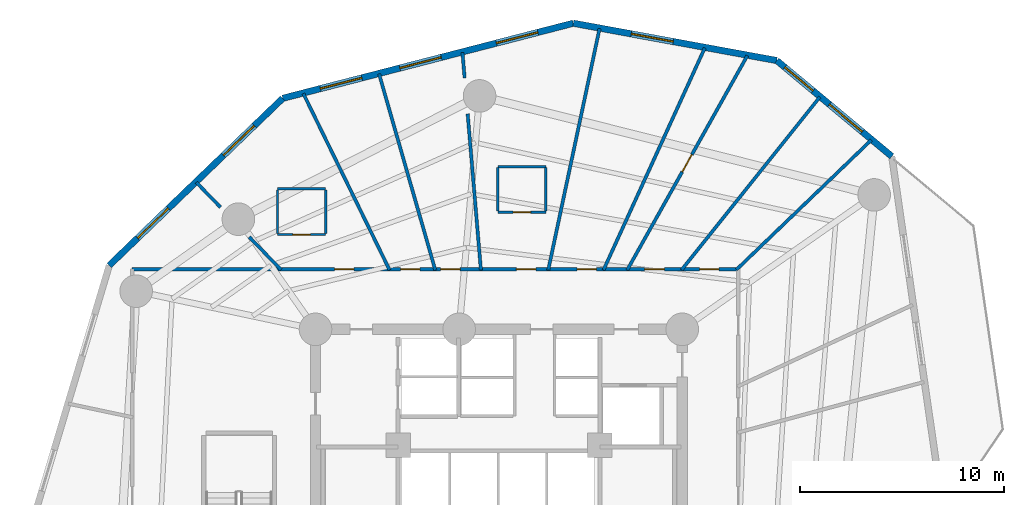
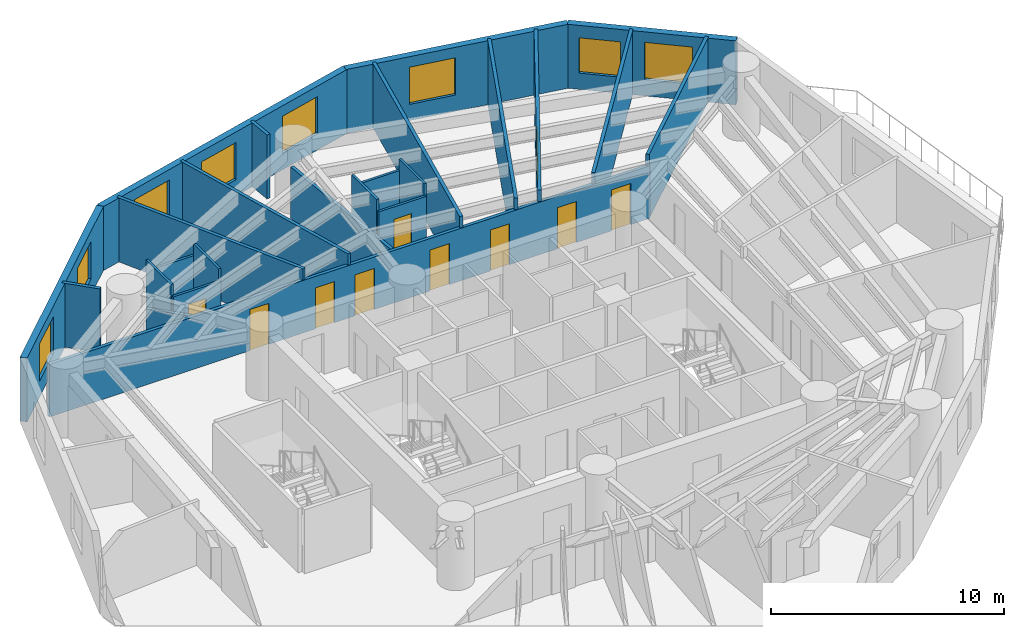
# One storey, part 6 of 9: 24 walls, 10 doors, 8 windows, 18 openings.
"""IFC4 building model written with IfcOpenShell, lengths in metres."""

from ifc_helpers import new_model, si_unit, direction, frame, frame_2d, origin, origin_with_axes, place, context, subcontext, project, spatial, rectangle, extrude, source, transform, mapped, material, layer, layer_set, type_object, element, fill, save


model = new_model("IFC4")

# Units and contexts
model_context = context("Model", 3, precision=1e-05, world=origin(), true_north=direction((0.0, 1.0)))
body_context = subcontext(model_context, "Body", "Model", "MODEL_VIEW")
ifc_project = project(units=[si_unit("LENGTHUNIT", "METRE"), si_unit("AREAUNIT", "SQUARE_METRE"), si_unit("VOLUMEUNIT", "CUBIC_METRE"), si_unit("PLANEANGLEUNIT", "RADIAN"), si_unit("MASSUNIT", "GRAM", prefix="KILO")], contexts=[model_context])

# Site, building, storey
site_placement = place(None, origin())
site = spatial("IfcSite", under=ifc_project, at=site_placement, CompositionType="ELEMENT")
building_placement = place(site_placement, origin())
building = spatial("IfcBuilding", under=site, at=building_placement, Name="Karkom Vertical University and Central Library", CompositionType="ELEMENT")
storey_placement = place(building_placement, frame((0.0, 0.0, 69.699951171875)))
storey = spatial("IfcBuildingStorey", under=building, at=storey_placement, Name="L18", CompositionType="ELEMENT", Elevation=69.699951171875)

# Wall, openings, windows
ifc_material_1 = material(Name="Brick-faced precast concrete C45/55", Category="masonry")
ifc_layer_1 = layer(ifc_material_1, 0.320068359375)
ifc_layer_set_1 = layer_set([ifc_layer_1], Name="Brick-faced precast concrete C45/55")
wall_type_1 = type_object("IfcWallType", Name="ENV-WL-BRK-320", PredefinedType="SOLIDWALL", material=ifc_layer_set_1)
wall_1_placement = place(storey_placement, frame((47.786865234375, 43.188232421875, 0.0), z_axis=(0.0, 0.0, 1.0), x_axis=(-0.768362839107, 0.640014490054, 0.0)))
wall_1 = element("IfcWall", 1, at=wall_1_placement, inside=storey, type_object=wall_type_1, Name="Level 18 Brick-Faced Precast Facade Wall 09", PredefinedType="SOLIDWALL", context=body_context, shape_type="SweptSolid", body=[
    extrude(rectangle(XDim=7.35009765625, YDim=0.320068359375, at=frame_2d((3.675048828125, 0.0))), origin(), (0.0, 0.0, 1.0), 3.35009765625),
])
opening_1_placement = place(wall_1_placement, frame((1.886474609375, 0.0, 0.85009765625)))
opening_1 = element("IfcOpeningElement", 2, at=opening_1_placement, cuts=wall_1, Name="Opening WN-03", PredefinedType="OPENING", context=body_context, shape_type="SweptSolid", body=[
    extrude(rectangle(XDim=2.10009765625, YDim=1.949951171875, at=frame_2d((1.050048828125, 0.97509765625))), frame((0.0, 0.169921875, 0.0), z_axis=(0.0, -1.0, 0.0), x_axis=(1.0, 0.0, 0.0)), (0.0, 0.0, 1.0), 0.340087890625),
])
opening_2_placement = place(wall_1_placement, frame((5.034912109375, 0.0, 0.85009765625)))
opening_2 = element("IfcOpeningElement", 3, at=opening_2_placement, cuts=wall_1, Name="Opening WN-04", PredefinedType="OPENING", context=body_context, shape_type="SweptSolid", body=[
    extrude(rectangle(XDim=1.800048828125, YDim=1.85009765625, at=frame_2d((0.89990234375, 0.925048828125))), frame((0.0, 0.169921875, 0.0), z_axis=(0.0, -1.0, 0.0), x_axis=(1.0, 0.0, 0.0)), (0.0, 0.0, 1.0), 0.340087890625),
])
ifc_material_2 = material(Name="Aluminium thermal-break frame with solar-control IGU", Category="aluminium")
window_type_1 = type_object("IfcWindowType", Name="ENV-WIN-WN-03", PartitioningType="SINGLE_PANEL", PredefinedType="WINDOW", material=ifc_material_2)
shared_shape_1 = source(origin_with_axes(), body_context, "Body", "SweptSolid", [
    extrude(rectangle(XDim=2.10009765625, YDim=1.949951171875, at=frame_2d((1.050048828125, 0.97509765625))), frame((0.0, 0.030029296875, 0.0), z_axis=(0.0, -1.0, 0.0), x_axis=(1.0, 0.0, 0.0)), (0.0, 0.0, 1.0), 0.06005859375),
])
window_1_placement = place(opening_1_placement, origin())
window_1 = element("IfcWindow", 4, at=window_1_placement, inside=storey, type_object=window_type_1, Name="Level 18 Punched Window 9.1", OverallHeight=1.949951171875, OverallWidth=2.10009765625, PartitioningType="SINGLE_PANEL", PredefinedType="WINDOW", context=body_context, shape_type="MappedRepresentation", body=[
    mapped(shared_shape_1, transform((0.0, 0.0, 0.0), scale=1.0)),
])
fill(opening_1, window_1)
window_type_2 = type_object("IfcWindowType", Name="ENV-WIN-WN-04", PartitioningType="SINGLE_PANEL", PredefinedType="WINDOW", material=ifc_material_2)
shared_shape_2 = source(origin_with_axes(), body_context, "Body", "SweptSolid", [
    extrude(rectangle(XDim=1.800048828125, YDim=1.85009765625, at=frame_2d((0.89990234375, 0.925048828125))), frame((0.0, 0.030029296875, 0.0), z_axis=(0.0, -1.0, 0.0), x_axis=(1.0, 0.0, 0.0)), (0.0, 0.0, 1.0), 0.06005859375),
])
window_2_placement = place(opening_2_placement, origin())
window_2 = element("IfcWindow", 5, at=window_2_placement, inside=storey, type_object=window_type_2, Name="Level 18 Punched Window 9.2", OverallHeight=1.85009765625, OverallWidth=1.800048828125, PartitioningType="SINGLE_PANEL", PredefinedType="WINDOW", context=body_context, shape_type="MappedRepresentation", body=[
    mapped(shared_shape_2, transform((0.0, 0.0, 0.0), scale=1.0)),
])
fill(opening_2, window_2)

# Wall, opening, window
wall_2_placement = place(storey_placement, frame((42.139404296875, 47.892333984375, 0.0), z_axis=(0.0, 0.0, 1.0), x_axis=(-0.983594472343, 0.180393774774, 0.0)))
wall_2 = element("IfcWall", 6, at=wall_2_placement, inside=storey, type_object=wall_type_1, Name="Level 18 Brick-Faced Precast Facade Wall 10", PredefinedType="SOLIDWALL", context=body_context, shape_type="SweptSolid", body=[
    extrude(rectangle(XDim=10.154296875, YDim=0.320068359375, at=frame_2d((5.0771484375, 0.0))), origin(), (0.0, 0.0, 1.0), 3.35009765625),
])
opening_3_placement = place(wall_2_placement, frame((5.1669921875, 0.0, 0.85009765625)))
opening_3 = element("IfcOpeningElement", 7, at=opening_3_placement, cuts=wall_2, Name="Opening WN-03", PredefinedType="OPENING", context=body_context, shape_type="SweptSolid", body=[
    extrude(rectangle(XDim=2.10009765625, YDim=1.949951171875, at=frame_2d((1.050048828125, 0.97509765625))), frame((0.0, 0.169921875, 0.0), z_axis=(0.0, -1.0, 0.0), x_axis=(1.0, 0.0, 0.0)), (0.0, 0.0, 1.0), 0.340087890625),
])
window_3_placement = place(opening_3_placement, origin())
window_3 = element("IfcWindow", 8, at=window_3_placement, inside=storey, type_object=window_type_1, Name="Level 18 Punched Window 10.1", OverallHeight=1.949951171875, OverallWidth=2.10009765625, PartitioningType="SINGLE_PANEL", PredefinedType="WINDOW", context=body_context, shape_type="MappedRepresentation", body=[
    mapped(shared_shape_1, transform((0.0, 0.0, 0.0), scale=1.0)),
])
fill(opening_3, window_3)

# Wall, openings, windows
wall_3_placement = place(storey_placement, frame((32.151611328125, 49.72412109375, 0.0), z_axis=(0.0, 0.0, 1.0), x_axis=(-0.968190331719, -0.250214870793, 0.0)))
wall_3 = element("IfcWall", 9, at=wall_3_placement, inside=storey, type_object=wall_type_1, Name="Level 18 Brick-Faced Precast Facade Wall 11", PredefinedType="SOLIDWALL", context=body_context, shape_type="SweptSolid", body=[
    extrude(rectangle(XDim=14.7294921875, YDim=0.320068359375, at=frame_2d((7.36474609375, 0.0))), origin(), (0.0, 0.0, 1.0), 3.35009765625),
])
opening_4_placement = place(wall_3_placement, frame((1.79541015625, 0.0, 0.85009765625)))
opening_4 = element("IfcOpeningElement", 10, at=opening_4_placement, cuts=wall_3, Name="Opening WN-03", PredefinedType="OPENING", context=body_context, shape_type="SweptSolid", body=[
    extrude(rectangle(XDim=2.10009765625, YDim=1.949951171875, at=frame_2d((1.050048828125, 0.97509765625))), frame((0.0, 0.169921875, 0.0), z_axis=(0.0, -1.0, 0.0), x_axis=(1.0, 0.0, 0.0)), (0.0, 0.0, 1.0), 0.340087890625),
])
opening_5_placement = place(wall_3_placement, frame((6.690673828125, 0.0, 0.85009765625)))
opening_5 = element("IfcOpeningElement", 11, at=opening_5_placement, cuts=wall_3, Name="Opening WN-03", PredefinedType="OPENING", context=body_context, shape_type="SweptSolid", body=[
    extrude(rectangle(XDim=2.10009765625, YDim=1.949951171875, at=frame_2d((1.050048828125, 0.97509765625))), frame((0.0, 0.169921875, 0.0), z_axis=(0.0, -1.0, 0.0), x_axis=(1.0, 0.0, 0.0)), (0.0, 0.0, 1.0), 0.340087890625),
])
opening_6_placement = place(wall_3_placement, frame((10.71728515625, 0.0, 0.85009765625)))
opening_6 = element("IfcOpeningElement", 12, at=opening_6_placement, cuts=wall_3, Name="Opening WN-03", PredefinedType="OPENING", context=body_context, shape_type="SweptSolid", body=[
    extrude(rectangle(XDim=2.10009765625, YDim=1.949951171875, at=frame_2d((1.050048828125, 0.97509765625))), frame((0.0, 0.169921875, 0.0), z_axis=(0.0, -1.0, 0.0), x_axis=(1.0, 0.0, 0.0)), (0.0, 0.0, 1.0), 0.340087890625),
])
window_4_placement = place(opening_4_placement, origin())
window_4 = element("IfcWindow", 13, at=window_4_placement, inside=storey, type_object=window_type_1, Name="Level 18 Punched Window 11.1", OverallHeight=1.949951171875, OverallWidth=2.10009765625, PartitioningType="SINGLE_PANEL", PredefinedType="WINDOW", context=body_context, shape_type="MappedRepresentation", body=[
    mapped(shared_shape_1, transform((0.0, 0.0, 0.0), scale=1.0)),
])
fill(opening_4, window_4)
window_5_placement = place(opening_5_placement, origin())
window_5 = element("IfcWindow", 14, at=window_5_placement, inside=storey, type_object=window_type_1, Name="Level 18 Punched Window 11.2", OverallHeight=1.949951171875, OverallWidth=2.10009765625, PartitioningType="SINGLE_PANEL", PredefinedType="WINDOW", context=body_context, shape_type="MappedRepresentation", body=[
    mapped(shared_shape_1, transform((0.0, 0.0, 0.0), scale=1.0)),
])
fill(opening_5, window_5)
window_6_placement = place(opening_6_placement, origin())
window_6 = element("IfcWindow", 15, at=window_6_placement, inside=storey, type_object=window_type_1, Name="Level 18 Punched Window 11.3", OverallHeight=1.949951171875, OverallWidth=2.10009765625, PartitioningType="SINGLE_PANEL", PredefinedType="WINDOW", context=body_context, shape_type="MappedRepresentation", body=[
    mapped(shared_shape_1, transform((0.0, 0.0, 0.0), scale=1.0)),
])
fill(opening_6, window_6)

wall_4_placement = place(storey_placement, frame((17.890625, 46.03857421875, 0.0), z_axis=(0.0, 0.0, 1.0), x_axis=(-0.720301487299, -0.693661132971, 0.0)))
wall_4 = element("IfcWall", 16, at=wall_4_placement, inside=storey, type_object=wall_type_1, Name="Level 18 Brick-Faced Precast Facade Wall 12", PredefinedType="SOLIDWALL", context=body_context, shape_type="SweptSolid", body=[
    extrude(rectangle(XDim=11.822021484375, YDim=0.320068359375, at=frame_2d((5.9111328125, 0.0))), origin(), (0.0, 0.0, 1.0), 3.35009765625),
])
opening_7_placement = place(wall_4_placement, frame((1.93798828125, 0.0, 0.85009765625)))
opening_7 = element("IfcOpeningElement", 17, at=opening_7_placement, cuts=wall_4, Name="Opening WN-03", PredefinedType="OPENING", context=body_context, shape_type="SweptSolid", body=[
    extrude(rectangle(XDim=2.10009765625, YDim=1.949951171875, at=frame_2d((1.050048828125, 0.97509765625))), frame((0.0, 0.169921875, 0.0), z_axis=(0.0, -1.0, 0.0), x_axis=(1.0, 0.0, 0.0)), (0.0, 0.0, 1.0), 0.340087890625),
])
opening_8_placement = place(wall_4_placement, frame((7.788818359375, 0.0, 0.85009765625)))
opening_8 = element("IfcOpeningElement", 18, at=opening_8_placement, cuts=wall_4, Name="Opening WN-03", PredefinedType="OPENING", context=body_context, shape_type="SweptSolid", body=[
    extrude(rectangle(XDim=2.10009765625, YDim=1.949951171875, at=frame_2d((1.050048828125, 0.97509765625))), frame((0.0, 0.169921875, 0.0), z_axis=(0.0, -1.0, 0.0), x_axis=(1.0, 0.0, 0.0)), (0.0, 0.0, 1.0), 0.340087890625),
])
window_7_placement = place(opening_7_placement, origin())
window_7 = element("IfcWindow", 19, at=window_7_placement, inside=storey, type_object=window_type_1, Name="Level 18 Punched Window 12.1", OverallHeight=1.949951171875, OverallWidth=2.10009765625, PartitioningType="SINGLE_PANEL", PredefinedType="WINDOW", context=body_context, shape_type="MappedRepresentation", body=[
    mapped(shared_shape_1, transform((0.0, 0.0, 0.0), scale=1.0)),
])
fill(opening_7, window_7)
window_8_placement = place(opening_8_placement, origin())
window_8 = element("IfcWindow", 20, at=window_8_placement, inside=storey, type_object=window_type_1, Name="Level 18 Punched Window 12.2", OverallHeight=1.949951171875, OverallWidth=2.10009765625, PartitioningType="SINGLE_PANEL", PredefinedType="WINDOW", context=body_context, shape_type="MappedRepresentation", body=[
    mapped(shared_shape_1, transform((0.0, 0.0, 0.0), scale=1.0)),
])
fill(opening_8, window_8)

# Wall, openings, doors
ifc_material_3 = material(Name="Insulated metal-stud drywall 160mm", Category="gypsum")
ifc_layer_2 = layer(ifc_material_3, 0.159912109375)
ifc_layer_set_2 = layer_set([ifc_layer_2], Name="Insulated metal-stud drywall 160mm")
wall_type_2 = type_object("IfcWallType", Name="INT-WL-COR-160", PredefinedType="PARTITIONING", material=ifc_layer_set_2)
wall_5_placement = place(storey_placement, frame((10.5, 37.64990234375, 0.0), z_axis=(0.0, 0.0, 1.0), x_axis=(1.0, 0.0, 0.0)))
wall_5 = element("IfcWall", 21, at=wall_5_placement, inside=storey, type_object=wall_type_2, Name="Level 18 Interior Partition Wall L18-CORW-CW-003", PredefinedType="PARTITIONING", context=body_context, shape_type="SweptSolid", body=[
    extrude(rectangle(XDim=29.75, YDim=0.159912109375, at=frame_2d((14.875, 0.0))), origin(), (0.0, 0.0, 1.0), 2.75),
])
opening_9_placement = place(wall_5_placement, frame((27.85009765625, 0.0, 0.0)))
opening_9 = element("IfcOpeningElement", 22, at=opening_9_placement, cuts=wall_5, Name="Opening D-RM1", PredefinedType="OPENING", context=body_context, shape_type="SweptSolid", body=[
    extrude(rectangle(XDim=0.949951171875, YDim=2.14990234375, at=frame_2d((0.47509765625, 1.074951171875))), frame((0.0, 0.08984375, 0.0), z_axis=(0.0, -1.0, 0.0), x_axis=(1.0, 0.0, 0.0)), (0.0, 0.0, 1.0), 0.179931640625),
])
opening_10_placement = place(wall_5_placement, frame((25.15869140625, 0.0, 0.0)))
opening_10 = element("IfcOpeningElement", 23, at=opening_10_placement, cuts=wall_5, Name="Opening FD-RM2", PredefinedType="OPENING", context=body_context, shape_type="SweptSolid", body=[
    extrude(rectangle(XDim=0.9599609375, YDim=2.14990234375, at=frame_2d((0.47998046875, 1.074951171875))), frame((0.0, 0.08984375, 0.0), z_axis=(0.0, -1.0, 0.0), x_axis=(1.0, 0.0, 0.0)), (0.0, 0.0, 1.0), 0.179931640625),
])
opening_11_placement = place(wall_5_placement, frame((21.83740234375, 0.0, 0.0)))
opening_11 = element("IfcOpeningElement", 24, at=opening_11_placement, cuts=wall_5, Name="Opening D-RM1", PredefinedType="OPENING", context=body_context, shape_type="SweptSolid", body=[
    extrude(rectangle(XDim=0.949951171875, YDim=2.14990234375, at=frame_2d((0.47509765625, 1.074951171875))), frame((0.0, 0.08984375, 0.0), z_axis=(0.0, -1.0, 0.0), x_axis=(1.0, 0.0, 0.0)), (0.0, 0.0, 1.0), 0.179931640625),
])
opening_12_placement = place(wall_5_placement, frame((18.862548828125, 0.0, 0.0)))
opening_12 = element("IfcOpeningElement", 25, at=opening_12_placement, cuts=wall_5, Name="Opening D-RM1", PredefinedType="OPENING", context=body_context, shape_type="SweptSolid", body=[
    extrude(rectangle(XDim=0.949951171875, YDim=2.14990234375, at=frame_2d((0.47509765625, 1.074951171875))), frame((0.0, 0.08984375, 0.0), z_axis=(0.0, -1.0, 0.0), x_axis=(1.0, 0.0, 0.0)), (0.0, 0.0, 1.0), 0.179931640625),
])
opening_13_placement = place(wall_5_placement, frame((15.139892578125, 0.0, 0.0)))
opening_13 = element("IfcOpeningElement", 26, at=opening_13_placement, cuts=wall_5, Name="Opening FD-RM2", PredefinedType="OPENING", context=body_context, shape_type="SweptSolid", body=[
    extrude(rectangle(XDim=0.9599609375, YDim=2.14990234375, at=frame_2d((0.47998046875, 1.074951171875))), frame((0.0, 0.08984375, 0.0), z_axis=(0.0, -1.0, 0.0), x_axis=(1.0, 0.0, 0.0)), (0.0, 0.0, 1.0), 0.179931640625),
])
opening_14_placement = place(wall_5_placement, frame((13.173583984375, 0.0, 0.0)))
opening_14 = element("IfcOpeningElement", 27, at=opening_14_placement, cuts=wall_5, Name="Opening D-RM1", PredefinedType="OPENING", context=body_context, shape_type="SweptSolid", body=[
    extrude(rectangle(XDim=0.949951171875, YDim=2.14990234375, at=frame_2d((0.47509765625, 1.074951171875))), frame((0.0, 0.08984375, 0.0), z_axis=(0.0, -1.0, 0.0), x_axis=(1.0, 0.0, 0.0)), (0.0, 0.0, 1.0), 0.179931640625),
])
opening_15_placement = place(wall_5_placement, frame((9.9375, 0.0, 0.0)))
opening_15 = element("IfcOpeningElement", 28, at=opening_15_placement, cuts=wall_5, Name="Opening D-RM1", PredefinedType="OPENING", context=body_context, shape_type="SweptSolid", body=[
    extrude(rectangle(XDim=0.949951171875, YDim=2.14990234375, at=frame_2d((0.47509765625, 1.074951171875))), frame((0.0, 0.08984375, 0.0), z_axis=(0.0, -1.0, 0.0), x_axis=(1.0, 0.0, 0.0)), (0.0, 0.0, 1.0), 0.179931640625),
])
ifc_material_4 = material(Name="Fire-rated oak veneer door", Category="wood")
door_type_1 = type_object("IfcDoorType", Name="INT-DR-FRM2", OperationType="NOTDEFINED", PredefinedType="DOOR", material=ifc_material_4)
shared_shape_3 = source(origin_with_axes(), body_context, "Body", "SweptSolid", [
    extrude(rectangle(XDim=0.9599609375, YDim=2.14990234375, at=frame_2d((0.47998046875, 1.074951171875))), frame((0.0, 0.02490234375, 0.0), z_axis=(0.0, -1.0, 0.0), x_axis=(1.0, 0.0, 0.0)), (0.0, 0.0, 1.0), 0.050048828125),
])
door_1_placement = place(opening_10_placement, origin())
door_1 = element("IfcDoor", 29, at=door_1_placement, inside=storey, type_object=door_type_1, Name="Level 18 Room Entry Door 160", OperationType="SINGLE_SWING_LEFT", OverallHeight=2.14990234375, OverallWidth=0.9599609375, PredefinedType="DOOR", context=body_context, shape_type="MappedRepresentation", body=[
    mapped(shared_shape_3, transform((0.0, 0.0, 0.0), scale=1.0)),
])
fill(opening_10, door_1)
door_2_placement = place(opening_13_placement, origin())
door_2 = element("IfcDoor", 30, at=door_2_placement, inside=storey, type_object=door_type_1, Name="Level 18 Room Entry Door 200", OperationType="SINGLE_SWING_RIGHT", OverallHeight=2.14990234375, OverallWidth=0.9599609375, PredefinedType="DOOR", context=body_context, shape_type="MappedRepresentation", body=[
    mapped(shared_shape_3, transform((0.0, 0.0, 0.0), scale=1.0)),
])
fill(opening_13, door_2)
ifc_material_5 = material(Name="Solid-core oak veneer door", Category="wood")
door_type_2 = type_object("IfcDoorType", Name="INT-DR-RM1", OperationType="NOTDEFINED", PredefinedType="DOOR", material=ifc_material_5)
shared_shape_4 = source(origin_with_axes(), body_context, "Body", "SweptSolid", [
    extrude(rectangle(XDim=0.949951171875, YDim=2.14990234375, at=frame_2d((0.47509765625, 1.074951171875))), frame((0.0, 0.02490234375, 0.0), z_axis=(0.0, -1.0, 0.0), x_axis=(1.0, 0.0, 0.0)), (0.0, 0.0, 1.0), 0.050048828125),
])
door_3_placement = place(opening_9_placement, origin())
door_3 = element("IfcDoor", 31, at=door_3_placement, inside=storey, type_object=door_type_2, Name="Level 18 Room Entry Door 150", OperationType="SINGLE_SWING_RIGHT", OverallHeight=2.14990234375, OverallWidth=0.949951171875, PredefinedType="DOOR", context=body_context, shape_type="MappedRepresentation", body=[
    mapped(shared_shape_4, transform((0.0, 0.0, 0.0), scale=1.0)),
])
fill(opening_9, door_3)
door_4_placement = place(opening_11_placement, origin())
door_4 = element("IfcDoor", 32, at=door_4_placement, inside=storey, type_object=door_type_2, Name="Level 18 Room Entry Door 180", OperationType="SINGLE_SWING_RIGHT", OverallHeight=2.14990234375, OverallWidth=0.949951171875, PredefinedType="DOOR", context=body_context, shape_type="MappedRepresentation", body=[
    mapped(shared_shape_4, transform((0.0, 0.0, 0.0), scale=1.0)),
])
fill(opening_11, door_4)
door_5_placement = place(opening_12_placement, origin())
door_5 = element("IfcDoor", 33, at=door_5_placement, inside=storey, type_object=door_type_2, Name="Level 18 Room Entry Door 190", OperationType="SINGLE_SWING_LEFT", OverallHeight=2.14990234375, OverallWidth=0.949951171875, PredefinedType="DOOR", context=body_context, shape_type="MappedRepresentation", body=[
    mapped(shared_shape_4, transform((0.0, 0.0, 0.0), scale=1.0)),
])
fill(opening_12, door_5)
door_6_placement = place(opening_14_placement, origin())
door_6 = element("IfcDoor", 34, at=door_6_placement, inside=storey, type_object=door_type_2, Name="Level 18 Room Entry Door 210", OperationType="SINGLE_SWING_LEFT", OverallHeight=2.14990234375, OverallWidth=0.949951171875, PredefinedType="DOOR", context=body_context, shape_type="MappedRepresentation", body=[
    mapped(shared_shape_4, transform((0.0, 0.0, 0.0), scale=1.0)),
])
fill(opening_14, door_6)
door_7_placement = place(opening_15_placement, origin())
door_7 = element("IfcDoor", 35, at=door_7_placement, inside=storey, type_object=door_type_2, Name="Level 18 Room Entry Door 220", OperationType="SINGLE_SWING_RIGHT", OverallHeight=2.14990234375, OverallWidth=0.949951171875, PredefinedType="DOOR", context=body_context, shape_type="MappedRepresentation", body=[
    mapped(shared_shape_4, transform((0.0, 0.0, 0.0), scale=1.0)),
])
fill(opening_15, door_7)

# Wall
wall_6_placement = place(storey_placement, frame((30.92138671875, 37.60595703125, 0.0), z_axis=(0.0, 0.0, 1.0), x_axis=(0.207885013446, 0.978153270804, 0.0)))
element("IfcWall", 36, at=wall_6_placement, inside=storey, type_object=wall_type_2, Name="Level 18 Interior Partition Wall L18-PW-022", PredefinedType="PARTITIONING", context=body_context, shape_type="SweptSolid", body=[
    extrude(rectangle(XDim=12.12109375, YDim=0.159912109375, at=frame_2d((6.060546875, 0.0))), origin(), (0.0, 0.0, 1.0), 3.35009765625),
])

# Wall, opening, door
wall_7_placement = place(storey_placement, frame((34.797119140625, 37.610595703125, 0.0), z_axis=(0.0, 0.0, 1.0), x_axis=(0.488974485782, 0.872298086811, 0.0)))
wall_7 = element("IfcWall", 37, at=wall_7_placement, inside=storey, type_object=wall_type_2, Name="Level 18 Interior Partition Wall L18-PW-020", PredefinedType="PARTITIONING", context=body_context, shape_type="SweptSolid", body=[
    extrude(rectangle(XDim=12.057861328125, YDim=0.159912109375, at=frame_2d((6.02880859375, 0.0))), origin(), (0.0, 0.0, 1.0), 3.35009765625),
])
opening_16_placement = place(wall_7_placement, frame((5.52880859375, 0.0, 0.0)))
opening_16 = element("IfcOpeningElement", 38, at=opening_16_placement, cuts=wall_7, Name="Opening FD-RM2", PredefinedType="OPENING", context=body_context, shape_type="SweptSolid", body=[
    extrude(rectangle(XDim=0.9599609375, YDim=2.14990234375, at=frame_2d((0.47998046875, 1.074951171875))), frame((0.0, 0.08984375, 0.0), z_axis=(0.0, -1.0, 0.0), x_axis=(1.0, 0.0, 0.0)), (0.0, 0.0, 1.0), 0.179931640625),
])
door_8_placement = place(opening_16_placement, origin())
door_8 = element("IfcDoor", 39, at=door_8_placement, inside=storey, type_object=door_type_1, Name="Level 18 Room Entry Door 170", OperationType="SINGLE_SWING_LEFT", OverallHeight=2.14990234375, OverallWidth=0.9599609375, PredefinedType="DOOR", context=body_context, shape_type="MappedRepresentation", body=[
    mapped(shared_shape_3, transform((0.0, 0.0, 0.0), scale=1.0)),
])
fill(opening_16, door_8)

# Walls
wall_8_placement = place(storey_placement, frame((33.633544921875, 37.609130859375, 0.0), z_axis=(0.0, 0.0, 1.0), x_axis=(0.415044230095, 0.909801234921, 0.0)))
element("IfcWall", 40, at=wall_8_placement, inside=storey, type_object=wall_type_2, Name="Level 18 Interior Partition Wall L18-PW-021", PredefinedType="PARTITIONING", context=body_context, shape_type="SweptSolid", body=[
    extrude(rectangle(XDim=11.984619140625, YDim=0.159912109375, at=frame_2d((5.9921875, 0.0))), origin(), (0.0, 0.0, 1.0), 3.35009765625),
])
wall_9_placement = place(storey_placement, frame((37.465087890625, 37.614990234375, 0.0), z_axis=(0.0, 0.0, 1.0), x_axis=(0.624552549849, 0.780982786287, 0.0)))
element("IfcWall", 41, at=wall_9_placement, inside=storey, type_object=wall_type_2, Name="Level 18 Interior Partition Wall L18-PW-019", PredefinedType="PARTITIONING", context=body_context, shape_type="SweptSolid", body=[
    extrude(rectangle(XDim=10.865478515625, YDim=0.159912109375, at=frame_2d((5.4326171875, 0.0))), origin(), (0.0, 0.0, 1.0), 3.35009765625),
])
wall_10_placement = place(storey_placement, frame((25.37939453125, 37.606689453125, 0.0), z_axis=(0.0, 0.0, 1.0), x_axis=(-0.275487246275, 0.961304726473, 0.0)))
element("IfcWall", 42, at=wall_10_placement, inside=storey, type_object=wall_type_2, Name="Level 18 Interior Partition Wall L18-PW-025", PredefinedType="PARTITIONING", context=body_context, shape_type="SweptSolid", body=[
    extrude(rectangle(XDim=10.015869140625, YDim=0.159912109375, at=frame_2d((5.0078125, 0.0))), origin(), (0.0, 0.0, 1.0), 3.35009765625),
])
wall_11_placement = place(storey_placement, frame((23.13671875, 37.609619140625, 0.0), z_axis=(0.0, 0.0, 1.0), x_axis=(-0.439133840218, 0.898421655113, 0.0)))
element("IfcWall", 43, at=wall_11_placement, inside=storey, type_object=wall_type_2, Name="Level 18 Interior Partition Wall L18-PW-026", PredefinedType="PARTITIONING", context=body_context, shape_type="SweptSolid", body=[
    extrude(rectangle(XDim=9.642578125, YDim=0.159912109375, at=frame_2d((4.8212890625, 0.0))), origin(), (0.0, 0.0, 1.0), 3.35009765625),
])
wall_12_placement = place(storey_placement, frame((40.1611328125, 37.629150390625, 0.0), z_axis=(0.0, 0.0, 1.0), x_axis=(0.720836130308, 0.693105528216, 0.0)))
element("IfcWall", 44, at=wall_12_placement, inside=storey, type_object=wall_type_2, Name="Level 18 Interior Partition Wall L18-PW-018", PredefinedType="PARTITIONING", context=body_context, shape_type="SweptSolid", body=[
    extrude(rectangle(XDim=9.1826171875, YDim=0.159912109375, at=frame_2d((4.59130859375, 0.0))), origin(), (0.0, 0.0, 1.0), 3.35009765625),
])
wall_13_placement = place(storey_placement, frame((27.618408203125, 37.605224609375, 0.0), z_axis=(0.0, 0.0, 1.0), x_axis=(-0.084549280714, 0.996419298855, 0.0)))
element("IfcWall", 45, at=wall_13_placement, inside=storey, type_object=wall_type_2, Name="Level 18 Interior Partition Wall L18-PW-023", PredefinedType="PARTITIONING", context=body_context, shape_type="SweptSolid", body=[
    extrude(rectangle(XDim=7.6982421875, YDim=0.159912109375, at=frame_2d((3.84912109375, 0.0))), origin(), (0.0, 0.0, 1.0), 2.699951171875),
])
wall_14_placement = place(storey_placement, frame((17.801513671875, 37.62841796875, 0.0), z_axis=(0.0, 0.0, 1.0), x_axis=(-0.695823523946, 0.718212798218, 0.0)))
element("IfcWall", 46, at=wall_14_placement, inside=storey, type_object=wall_type_2, Name="Level 18 Interior Partition Wall L18-PW-027", PredefinedType="PARTITIONING", context=body_context, shape_type="SweptSolid", body=[
    extrude(rectangle(XDim=2.224609375, YDim=0.159912109375, at=frame_2d((1.1123046875, 0.0))), origin(), (0.0, 0.0, 1.0), 2.699951171875),
])
wall_15_placement = place(storey_placement, frame((14.833984375, 40.69140625, 0.0), z_axis=(0.0, 0.0, 1.0), x_axis=(-0.695931289597, 0.718108376333, 0.0)))
element("IfcWall", 47, at=wall_15_placement, inside=storey, type_object=wall_type_2, Name="Level 18 Interior Partition Wall L18-PW-028", PredefinedType="PARTITIONING", context=body_context, shape_type="SweptSolid", body=[
    extrude(rectangle(XDim=1.706298828125, YDim=0.159912109375, at=frame_2d((0.85302734375, 0.0))), origin(), (0.0, 0.0, 1.0), 3.35009765625),
])
wall_16_placement = place(storey_placement, frame((26.818359375, 47.035888671875, 0.0), z_axis=(0.0, 0.0, 1.0), x_axis=(-0.084472420092, 0.996425817732, 0.0)))
element("IfcWall", 48, at=wall_16_placement, inside=storey, type_object=wall_type_2, Name="Level 18 Interior Partition Wall L18-PW-024", PredefinedType="PARTITIONING", context=body_context, shape_type="SweptSolid", body=[
    extrude(rectangle(XDim=1.260009765625, YDim=0.159912109375, at=frame_2d((0.6298828125, 0.0))), origin(), (0.0, 0.0, 1.0), 3.35009765625),
])

# Wall, opening, door
ifc_material_6 = material(Name="Moisture-resistant drywall 120mm", Category="gypsum")
ifc_layer_3 = layer(ifc_material_6, 0.1201171875)
ifc_layer_set_3 = layer_set([ifc_layer_3], Name="Moisture-resistant drywall 120mm")
wall_type_3 = type_object("IfcWallType", Name="INT-WL-INT-120F", PredefinedType="PARTITIONING", material=ifc_layer_set_3)
wall_17_placement = place(storey_placement, frame((28.450927734375, 40.447021484375, 0.0), z_axis=(0.0, 0.0, 1.0), x_axis=(1.0, 0.0, 0.0)))
wall_17 = element("IfcWall", 49, at=wall_17_placement, inside=storey, type_object=wall_type_3, Name="Level 18 Interior Partition Wall L18-ENS-89-S", PredefinedType="PARTITIONING", context=body_context, shape_type="SweptSolid", body=[
    extrude(rectangle(XDim=2.360107421875, YDim=0.1201171875, at=frame_2d((1.18017578125, 0.0))), origin(), (0.0, 0.0, 1.0), 2.75),
])
opening_17_placement = place(wall_17_placement, frame((0.75, 0.0, 0.0)))
opening_17 = element("IfcOpeningElement", 50, at=opening_17_placement, cuts=wall_17, Name="Opening D-BATH", PredefinedType="OPENING", context=body_context, shape_type="SweptSolid", body=[
    extrude(rectangle(XDim=0.860107421875, YDim=2.10009765625, at=frame_2d((0.43017578125, 1.050048828125))), frame((0.0, 0.070068359375, 0.0), z_axis=(0.0, -1.0, 0.0), x_axis=(1.0, 0.0, 0.0)), (0.0, 0.0, 1.0), 0.14013671875),
])
ifc_material_7 = material(Name="Moisture-resistant oak door", Category="wood")
door_type_3 = type_object("IfcDoorType", Name="INT-DR-BATH", OperationType="NOTDEFINED", PredefinedType="DOOR", material=ifc_material_7)
shared_shape_5 = source(origin_with_axes(), body_context, "Body", "SweptSolid", [
    extrude(rectangle(XDim=0.860107421875, YDim=2.10009765625, at=frame_2d((0.43017578125, 1.050048828125))), frame((0.0, 0.02490234375, 0.0), z_axis=(0.0, -1.0, 0.0), x_axis=(1.0, 0.0, 0.0)), (0.0, 0.0, 1.0), 0.050048828125),
])
door_9_placement = place(opening_17_placement, origin())
door_9 = element("IfcDoor", 51, at=door_9_placement, inside=storey, type_object=door_type_3, Name="Level 18 En-Suite Bathroom Door 89", OperationType="SINGLE_SWING_LEFT", OverallHeight=2.10009765625, OverallWidth=0.860107421875, PredefinedType="DOOR", context=body_context, shape_type="MappedRepresentation", body=[
    mapped(shared_shape_5, transform((0.0, 0.0, 0.0), scale=1.0)),
])
fill(opening_17, door_9)

# Wall
wall_18_placement = place(storey_placement, frame((30.81103515625, 42.68701171875, 0.0), z_axis=(0.0, 0.0, 1.0), x_axis=(-1.0, 0.0, 0.0)))
element("IfcWall", 52, at=wall_18_placement, inside=storey, type_object=wall_type_3, Name="Level 18 Interior Partition Wall L18-ENS-89-N", PredefinedType="PARTITIONING", context=body_context, shape_type="SweptSolid", body=[
    extrude(rectangle(XDim=2.360107421875, YDim=0.1201171875, at=frame_2d((1.18017578125, 0.0))), origin(), (0.0, 0.0, 1.0), 2.75),
])

# Wall, opening, door
wall_19_placement = place(storey_placement, frame((17.635009765625, 39.35302734375, 0.0), z_axis=(0.0, 0.0, 1.0), x_axis=(1.0, 0.0, 0.0)))
wall_19 = element("IfcWall", 53, at=wall_19_placement, inside=storey, type_object=wall_type_3, Name="Level 18 Interior Partition Wall L18-ENS-92-S", PredefinedType="PARTITIONING", context=body_context, shape_type="SweptSolid", body=[
    extrude(rectangle(XDim=2.360107421875, YDim=0.1201171875, at=frame_2d((1.18017578125, 0.0))), origin(), (0.0, 0.0, 1.0), 2.75),
])
opening_18_placement = place(wall_19_placement, frame((0.75, 0.0, 0.0)))
opening_18 = element("IfcOpeningElement", 54, at=opening_18_placement, cuts=wall_19, Name="Opening D-BATH", PredefinedType="OPENING", context=body_context, shape_type="SweptSolid", body=[
    extrude(rectangle(XDim=0.860107421875, YDim=2.10009765625, at=frame_2d((0.43017578125, 1.050048828125))), frame((0.0, 0.070068359375, 0.0), z_axis=(0.0, -1.0, 0.0), x_axis=(1.0, 0.0, 0.0)), (0.0, 0.0, 1.0), 0.14013671875),
])
door_10_placement = place(opening_18_placement, origin())
door_10 = element("IfcDoor", 55, at=door_10_placement, inside=storey, type_object=door_type_3, Name="Level 18 En-Suite Bathroom Door 92", OperationType="SINGLE_SWING_RIGHT", OverallHeight=2.10009765625, OverallWidth=0.860107421875, PredefinedType="DOOR", context=body_context, shape_type="MappedRepresentation", body=[
    mapped(shared_shape_5, transform((0.0, 0.0, 0.0), scale=1.0)),
])
fill(opening_18, door_10)

# Walls
wall_20_placement = place(storey_placement, frame((19.9951171875, 41.593017578125, 0.0), z_axis=(0.0, 0.0, 1.0), x_axis=(-1.0, 0.0, 0.0)))
element("IfcWall", 56, at=wall_20_placement, inside=storey, type_object=wall_type_3, Name="Level 18 Interior Partition Wall L18-ENS-92-N", PredefinedType="PARTITIONING", context=body_context, shape_type="SweptSolid", body=[
    extrude(rectangle(XDim=2.360107421875, YDim=0.1201171875, at=frame_2d((1.18017578125, 0.0))), origin(), (0.0, 0.0, 1.0), 2.75),
])
for number, where, z_axis, x_axis, name in (
    (57, (30.81103515625, 40.4970703125, 0.0), (0.0, 0.0, 1.0), (0.0, 1.0, 0.0), "Level 18 Interior Partition Wall L18-ENS-89-E"),
    (58, (28.450927734375, 42.636962890625, 0.0), (0.0, 0.0, 1.0), (0.0, -1.0, 0.0), "Level 18 Interior Partition Wall L18-ENS-89-W"),
    (59, (19.9951171875, 39.403076171875, 0.0), (0.0, 0.0, 1.0), (0.0, 1.0, 0.0), "Level 18 Interior Partition Wall L18-ENS-92-E"),
    (60, (17.635009765625, 41.54296875, 0.0), (0.0, 0.0, 1.0), (0.0, -1.0, 0.0), "Level 18 Interior Partition Wall L18-ENS-92-W"),
):
    element("IfcWall", number, at=place(storey_placement, frame(where, z_axis=z_axis, x_axis=x_axis)), inside=storey, type_object=wall_type_3, Name=name, PredefinedType="PARTITIONING", context=body_context, shape_type="SweptSolid", body=[
        extrude(rectangle(XDim=2.139892578125, YDim=0.1201171875, at=frame_2d((1.06982421875, 0.0))), origin(), (0.0, 0.0, 1.0), 3.35009765625),
    ])

save(model, "model.ifc")
